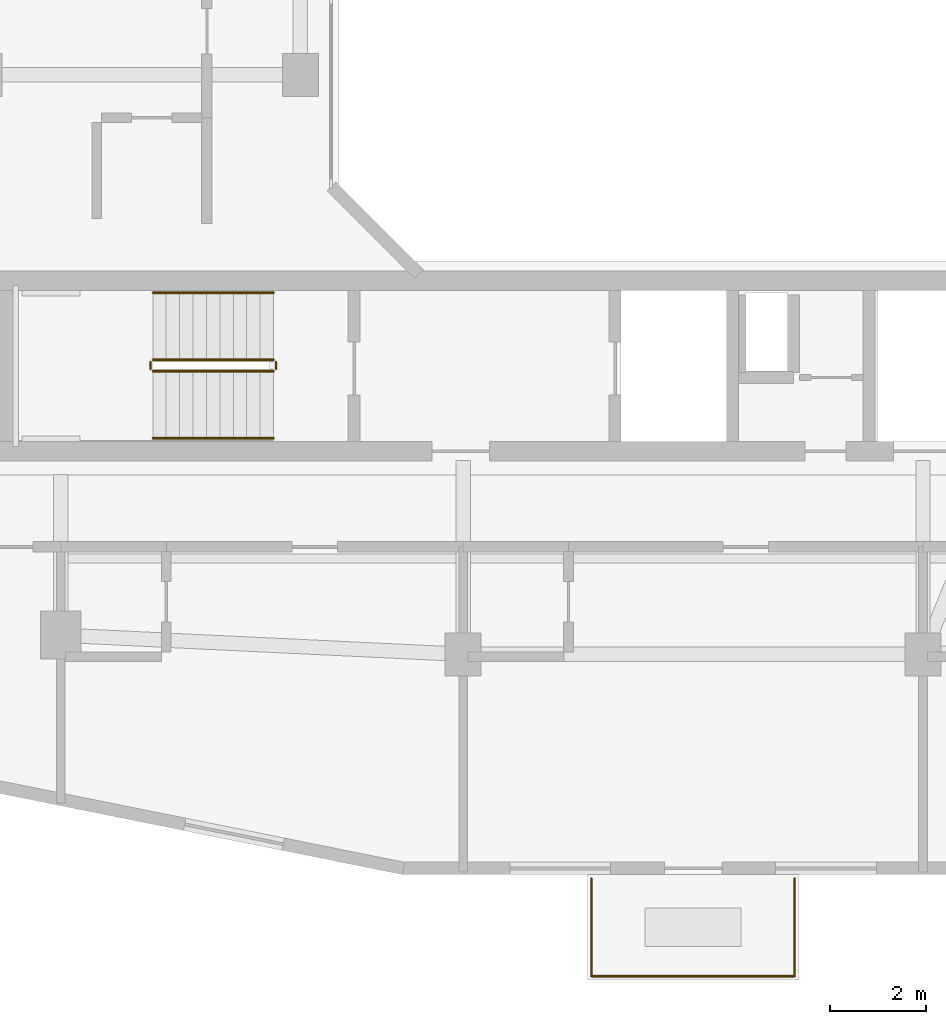
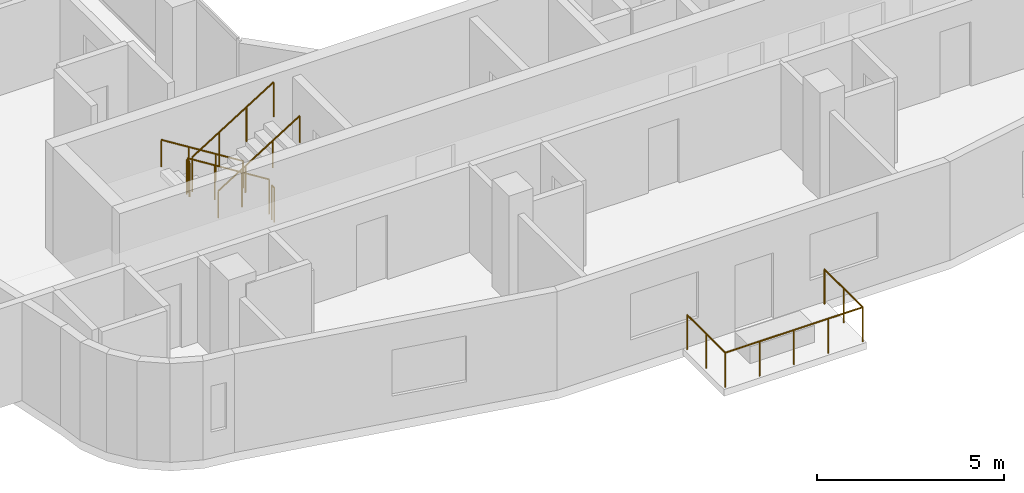
# One storey, part 10 of 13: 9 railings.
"""IFC4 building model written with IfcOpenShell, lengths in metres."""

from ifc_helpers import new_model, si_unit, derived_unit, direction, frame, origin, origin_2d, place, context, subcontext, project, spatial, circle, extrude, material, type_object, element, save


model = new_model("IFC4")

# Units and contexts
model_context = context("Model", 3, precision=1e-05, world=origin(), true_north=direction((0.0, 1.0)))
body_context = subcontext(model_context, "Body", "Model", "MODEL_VIEW")
ifc_project = project(units=[si_unit("LENGTHUNIT", "METRE"), si_unit("AREAUNIT", "SQUARE_METRE"), si_unit("VOLUMEUNIT", "CUBIC_METRE"), si_unit("PLANEANGLEUNIT", "RADIAN"), si_unit("MASSUNIT", "GRAM", prefix="KILO"), derived_unit("THERMALTRANSMITTANCEUNIT", [(si_unit("POWERUNIT", "WATT"), 1), (si_unit("LENGTHUNIT", "METRE"), -2), (si_unit("THERMODYNAMICTEMPERATUREUNIT", "KELVIN"), -1)])], contexts=[model_context])

# Site, building, storey
site_placement = place(None, origin())
site = spatial("IfcSite", under=ifc_project, at=site_placement, CompositionType="ELEMENT")
building_placement = place(site_placement, origin())
building = spatial("IfcBuilding", under=site, at=building_placement, Name="Kivonza Crest Hotel", CompositionType="ELEMENT")
storey_placement = place(building_placement, frame((0.0, 0.0, 155.5)))
storey = spatial("IfcBuildingStorey", under=building, at=storey_placement, Name="L42", CompositionType="ELEMENT", Elevation=155.5)

# Railings
ifc_material_1 = material(Name="Brushed stainless steel handrail", Category="steel")
railing_type_1 = type_object("IfcRailingType", Name="RL-HAND-900", PredefinedType="HANDRAIL", material=ifc_material_1)
railing_1_placement = place(storey_placement, frame((12.239990234375, 16.949951171875, 0.175048828125)))
element("IfcRailing", 1, at=railing_1_placement, inside=storey, type_object=railing_type_1, Name="L42 ST-T1-S stair handrail 1", PredefinedType="HANDRAIL", context=body_context, shape_type="SweptSolid", body=[
    extrude(circle(Radius=0.02392578125, at=origin_2d()), frame((0.0, 0.0, 0.8759765625), z_axis=(-0.848007534815, 0.0, 0.529984170421), x_axis=(0.0, -1.0, 0.0)), (0.0, 0.0, 1.0), 2.9716796875),
    extrude(circle(Radius=0.02099609375, at=origin_2d()), origin(), (0.0, 0.0, 1.0), 0.851806640625),
    extrude(circle(Radius=0.02099609375, at=origin_2d()), frame((-0.840087890625, 0.0, 0.52490234375)), (0.0, 0.0, 1.0), 0.851806640625),
    extrude(circle(Radius=0.02099609375, at=origin_2d()), frame((-1.679931640625, 0.0, 1.050048828125)), (0.0, 0.0, 1.0), 0.851806640625),
    extrude(circle(Radius=0.02099609375, at=origin_2d()), frame((-2.52001953125, 0.0, 1.574951171875)), (0.0, 0.0, 1.0), 0.851806640625),
])
railing_2_placement = place(storey_placement, frame((9.719970703125, 13.909912109375, 1.925048828125)))
element("IfcRailing", 2, at=railing_2_placement, inside=storey, type_object=railing_type_1, Name="L42 ST-T1-S stair handrail 2", PredefinedType="HANDRAIL", context=body_context, shape_type="SweptSolid", body=[
    extrude(circle(Radius=0.02392578125, at=origin_2d()), frame((0.0, 0.0, 0.8759765625), z_axis=(0.848007534815, 0.0, 0.529984170421), x_axis=(0.0, 1.0, 0.0)), (0.0, 0.0, 1.0), 2.9716796875),
    extrude(circle(Radius=0.02099609375, at=origin_2d()), origin(), (0.0, 0.0, 1.0), 0.851806640625),
    extrude(circle(Radius=0.02099609375, at=origin_2d()), frame((0.840087890625, 0.0, 0.52490234375)), (0.0, 0.0, 1.0), 0.851806640625),
    extrude(circle(Radius=0.02099609375, at=origin_2d()), frame((1.679931640625, 0.0, 1.050048828125)), (0.0, 0.0, 1.0), 0.851806640625),
    extrude(circle(Radius=0.02099609375, at=origin_2d()), frame((2.52001953125, 0.0, 1.574951171875)), (0.0, 0.0, 1.0), 0.851806640625),
])
ifc_material_2 = material(Name="Painted steel balustrade", Category="steel")
railing_type_2 = type_object("IfcRailingType", Name="RL-STAIR-1150", PredefinedType="BALUSTRADE", material=ifc_material_2)
railing_3_placement = place(storey_placement, frame((12.239990234375, 15.550048828125, 0.175048828125)))
element("IfcRailing", 3, at=railing_3_placement, inside=storey, type_object=railing_type_2, Name="L42 ST-T1-S stair guard 1", PredefinedType="BALUSTRADE", context=body_context, shape_type="SweptSolid", body=[
    extrude(circle(Radius=0.02392578125, at=origin_2d()), frame((0.0, 0.0, 1.1259765625), z_axis=(-0.848007534815, 0.0, 0.529984170421), x_axis=(0.0, -1.0, 0.0)), (0.0, 0.0, 1.0), 2.9716796875),
    extrude(circle(Radius=0.02099609375, at=origin_2d()), origin(), (0.0, 0.0, 1.0), 1.101806640625),
    extrude(circle(Radius=0.02099609375, at=origin_2d()), frame((-0.840087890625, 0.0, 0.52490234375)), (0.0, 0.0, 1.0), 1.101806640625),
    extrude(circle(Radius=0.02099609375, at=origin_2d()), frame((-1.679931640625, 0.0, 1.050048828125)), (0.0, 0.0, 1.0), 1.101806640625),
    extrude(circle(Radius=0.02099609375, at=origin_2d()), frame((-2.52001953125, 0.0, 1.574951171875)), (0.0, 0.0, 1.0), 1.101806640625),
])
railing_4_placement = place(storey_placement, frame((9.669921875, 15.5, 1.75)))
element("IfcRailing", 4, at=railing_4_placement, inside=storey, type_object=railing_type_2, Name="L42 ST-T1-S stair guard 2", PredefinedType="BALUSTRADE", context=body_context, shape_type="SweptSolid", body=[
    extrude(circle(Radius=0.02392578125, at=origin_2d()), frame((0.0, 0.0, 1.1259765625), z_axis=(0.0, -1.0, 0.0), x_axis=(1.0, 0.0, 0.0)), (0.0, 0.0, 1.0), 0.139892578125),
    extrude(circle(Radius=0.02099609375, at=origin_2d()), origin(), (0.0, 0.0, 1.0), 1.101806640625),
    extrude(circle(Radius=0.02099609375, at=origin_2d()), frame((0.0, -0.139892578125, 0.0)), (0.0, 0.0, 1.0), 1.101806640625),
])
railing_5_placement = place(storey_placement, frame((9.719970703125, 15.31005859375, 1.925048828125)))
element("IfcRailing", 5, at=railing_5_placement, inside=storey, type_object=railing_type_2, Name="L42 ST-T1-S stair guard 3", PredefinedType="BALUSTRADE", context=body_context, shape_type="SweptSolid", body=[
    extrude(circle(Radius=0.02392578125, at=origin_2d()), frame((0.0, 0.0, 1.1259765625), z_axis=(0.848007534815, 0.0, 0.529984170421), x_axis=(0.0, 1.0, 0.0)), (0.0, 0.0, 1.0), 2.9716796875),
    extrude(circle(Radius=0.02099609375, at=origin_2d()), origin(), (0.0, 0.0, 1.0), 1.101806640625),
    extrude(circle(Radius=0.02099609375, at=origin_2d()), frame((0.840087890625, 0.0, 0.52490234375)), (0.0, 0.0, 1.0), 1.101806640625),
    extrude(circle(Radius=0.02099609375, at=origin_2d()), frame((1.679931640625, 0.0, 1.050048828125)), (0.0, 0.0, 1.0), 1.101806640625),
    extrude(circle(Radius=0.02099609375, at=origin_2d()), frame((2.52001953125, 0.0, 1.574951171875)), (0.0, 0.0, 1.0), 1.101806640625),
])
railing_6_placement = place(storey_placement, frame((12.2900390625, 15.5, 0.0)))
element("IfcRailing", 6, at=railing_6_placement, inside=storey, type_object=railing_type_2, Name="L42 ST-T1-S stair guard 4", PredefinedType="BALUSTRADE", context=body_context, shape_type="SweptSolid", body=[
    extrude(circle(Radius=0.02392578125, at=origin_2d()), frame((0.0, 0.0, 1.1259765625), z_axis=(0.0, -1.0, 0.0), x_axis=(1.0, 0.0, 0.0)), (0.0, 0.0, 1.0), 0.139892578125),
    extrude(circle(Radius=0.02099609375, at=origin_2d()), origin(), (0.0, 0.0, 1.0), 1.101806640625),
    extrude(circle(Radius=0.02099609375, at=origin_2d()), frame((0.0, -0.139892578125, 0.0)), (0.0, 0.0, 1.0), 1.101806640625),
])
ifc_material_3 = material(Name="Laminated glass and stainless steel balustrade", Category="steel")
railing_type_3 = type_object("IfcRailingType", Name="RL-TERR-1150", PredefinedType="BALUSTRADE", material=ifc_material_3)
railing_7_placement = place(storey_placement, frame((18.8798828125, 2.679931640625, 0.0)))
element("IfcRailing", 7, at=railing_7_placement, inside=storey, type_object=railing_type_3, Name="L42 T1-L42-SG-SW perimeter safety balustrade 1", PredefinedType="BALUSTRADE", context=body_context, shape_type="SweptSolid", body=[
    extrude(circle(Radius=0.02392578125, at=origin_2d()), frame((0.0, 0.0, 1.1259765625), z_axis=(0.0, 1.0, 0.0), x_axis=(-1.0, 0.0, 0.0)), (0.0, 0.0, 1.0), 2.0400390625),
    extrude(circle(Radius=0.02099609375, at=origin_2d()), origin(), (0.0, 0.0, 1.0), 1.101806640625),
    extrude(circle(Radius=0.02099609375, at=origin_2d()), frame((0.0, 1.02001953125, 0.0)), (0.0, 0.0, 1.0), 1.101806640625),
    extrude(circle(Radius=0.02099609375, at=origin_2d()), frame((0.0, 2.0400390625, 0.0)), (0.0, 0.0, 1.0), 1.101806640625),
])
railing_8_placement = place(storey_placement, frame((23.1201171875, 4.719970703125, 0.0)))
element("IfcRailing", 8, at=railing_8_placement, inside=storey, type_object=railing_type_3, Name="L42 T1-L42-SG-SW perimeter safety balustrade 2", PredefinedType="BALUSTRADE", context=body_context, shape_type="SweptSolid", body=[
    extrude(circle(Radius=0.02392578125, at=origin_2d()), frame((0.0, 0.0, 1.1259765625), z_axis=(0.0, -1.0, 0.0), x_axis=(1.0, 0.0, 0.0)), (0.0, 0.0, 1.0), 2.0400390625),
    extrude(circle(Radius=0.02099609375, at=origin_2d()), origin(), (0.0, 0.0, 1.0), 1.101806640625),
    extrude(circle(Radius=0.02099609375, at=origin_2d()), frame((0.0, -1.02001953125, 0.0)), (0.0, 0.0, 1.0), 1.101806640625),
    extrude(circle(Radius=0.02099609375, at=origin_2d()), frame((0.0, -2.0400390625, 0.0)), (0.0, 0.0, 1.0), 1.101806640625),
])
railing_9_placement = place(storey_placement, frame((23.1201171875, 2.679931640625, 0.0)))
element("IfcRailing", 9, at=railing_9_placement, inside=storey, type_object=railing_type_3, Name="L42 T1-L42-SG-SW perimeter safety balustrade 3", PredefinedType="BALUSTRADE", context=body_context, shape_type="SweptSolid", body=[
    extrude(circle(Radius=0.02392578125, at=origin_2d()), frame((0.0, 0.0, 1.1259765625), z_axis=(-1.0, 0.0, 0.0), x_axis=(0.0, -1.0, 0.0)), (0.0, 0.0, 1.0), 4.240234375),
    extrude(circle(Radius=0.02099609375, at=origin_2d()), origin(), (0.0, 0.0, 1.0), 1.101806640625),
    extrude(circle(Radius=0.02099609375, at=origin_2d()), frame((-1.06005859375, 0.0, 0.0)), (0.0, 0.0, 1.0), 1.101806640625),
    extrude(circle(Radius=0.02099609375, at=origin_2d()), frame((-2.1201171875, 0.0, 0.0)), (0.0, 0.0, 1.0), 1.101806640625),
    extrude(circle(Radius=0.02099609375, at=origin_2d()), frame((-3.18017578125, 0.0, 0.0)), (0.0, 0.0, 1.0), 1.101806640625),
    extrude(circle(Radius=0.02099609375, at=origin_2d()), frame((-4.240234375, 0.0, 0.0)), (0.0, 0.0, 1.0), 1.101806640625),
])

save(model, "model.ifc")
